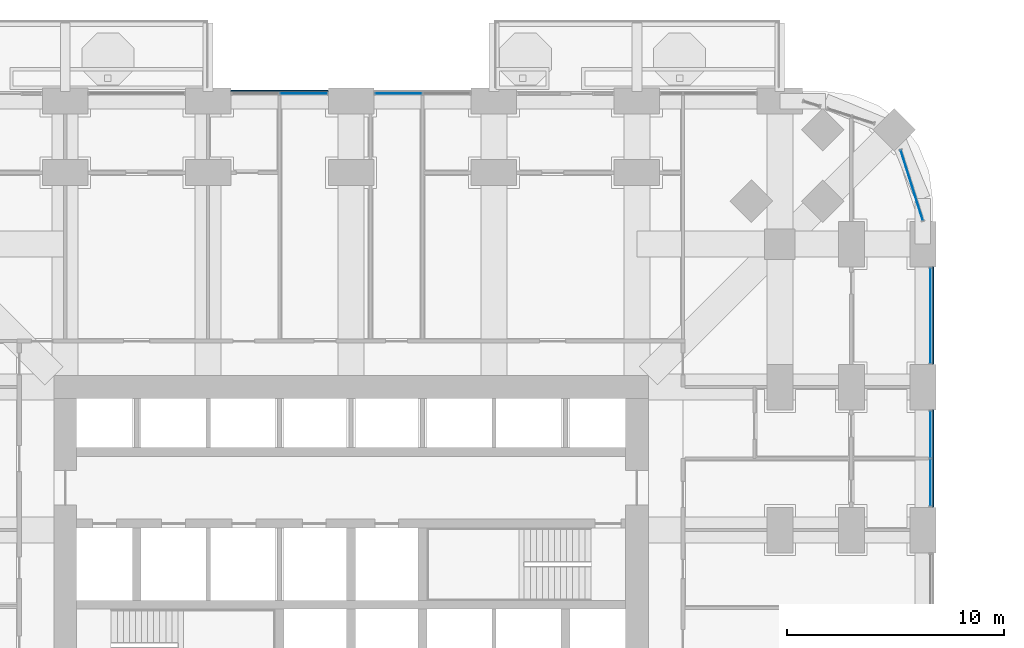
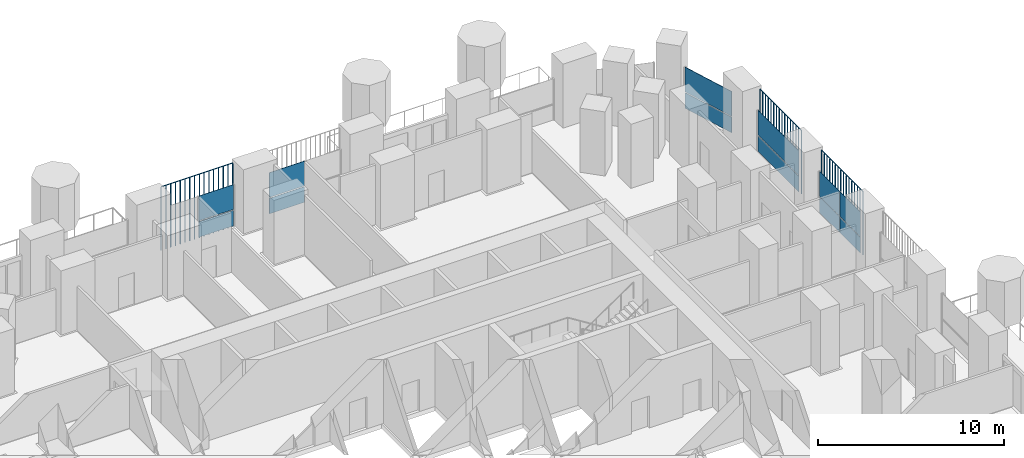
# One storey, part 16 of 27: 15 plates, 5 elements without a shape of their own.
"""IFC4 building model written with IfcOpenShell, lengths in metres."""

from ifc_helpers import new_model, si_unit, direction, frame, origin, origin_2d, place, context, subcontext, project, spatial, polyline, rectangle, outline, extrude, material, layer, layer_set, type_object, element, aggregate, save


model = new_model("IFC4")

# Units and contexts
model_context = context("Model", 3, precision=1e-05, world=origin(), true_north=direction((0.0, 1.0)))
body_context = subcontext(model_context, "Body", "Model", "MODEL_VIEW")
ifc_project = project(units=[si_unit("LENGTHUNIT", "METRE"), si_unit("AREAUNIT", "SQUARE_METRE"), si_unit("VOLUMEUNIT", "CUBIC_METRE"), si_unit("PLANEANGLEUNIT", "RADIAN"), si_unit("MASSUNIT", "GRAM", prefix="KILO")], contexts=[model_context])

# Site, building, storey
site_placement = place(None, origin())
site = spatial("IfcSite", under=ifc_project, at=site_placement, CompositionType="ELEMENT")
building_placement = place(site_placement, origin())
building = spatial("IfcBuilding", under=site, at=building_placement, Name="Cobogo Forest Laboratory Tower", CompositionType="ELEMENT")
storey_placement = place(building_placement, frame((0.0, 0.0, 29.699951171875)))
storey = spatial("IfcBuildingStorey", under=building, at=storey_placement, Name="L06", CompositionType="ELEMENT", Elevation=29.699951171875)

# Curtain wall, plates
ifc_material_1 = material(Name="Aluminium curtain wall", Category="aluminium")
curtain_wall_type = type_object("IfcCurtainWallType", Name="CW-1 unitised curtain wall, clear glazing, laboratory floors zones A and B", PredefinedType="USERDEFINED", material=ifc_material_1)
curtain_wall_1_placement = place(storey_placement, origin())
curtain_wall_1 = element("IfcCurtainWall", 1, at=curtain_wall_1_placement, inside=storey, type_object=curtain_wall_type, Name="Curtain wall 13 L06", ObjectType="UNITISED CURTAIN WALL", PredefinedType="USERDEFINED")
ifc_material_2 = material(Name="Clear insulated glass", Category="glass")
ifc_layer = layer(ifc_material_2, 0.028076171875)
ifc_layer_set = layer_set([ifc_layer], Name="GP-1 clear insulated glass unit 28")
plate_type_1 = type_object("IfcPlateType", Name="GP-1 clear insulated glass unit 28", PredefinedType="CURTAIN_PANEL", material=ifc_layer_set)
plate_1_placement = place(storey_placement, frame((53.14990234375, 28.590087890625, 0.0), z_axis=(0.0, 0.0, 1.0), x_axis=(0.0, 1.0, 0.0)))
plate_1 = element("IfcPlate", 2, at=plate_1_placement, type_object=plate_type_1, Name="CW-1 panel 1.1", PredefinedType="CURTAIN_PANEL", context=body_context, shape_type="SweptSolid", body=[
    extrude(rectangle(XDim=2.159912109375, YDim=0.028076171875, at=origin_2d()), origin(), (0.0, 0.0, 1.0), 1.02001953125),
])
plate_2_placement = place(storey_placement, frame((53.14990234375, 28.590087890625, 1.080078125), z_axis=(0.0, 0.0, 1.0), x_axis=(0.0, 1.0, 0.0)))
plate_2 = element("IfcPlate", 3, at=plate_2_placement, type_object=plate_type_1, Name="CW-1 panel 1.2", PredefinedType="CURTAIN_PANEL", context=body_context, shape_type="SweptSolid", body=[
    extrude(rectangle(XDim=2.159912109375, YDim=0.028076171875, at=origin_2d()), origin(), (0.0, 0.0, 1.0), 1.6201171875),
])
plate_3_placement = place(storey_placement, frame((53.14990234375, 30.81005859375, 0.0), z_axis=(0.0, 0.0, 1.0), x_axis=(0.0, 1.0, 0.0)))
plate_3 = element("IfcPlate", 4, at=plate_3_placement, type_object=plate_type_1, Name="CW-1 panel 2.1", PredefinedType="CURTAIN_PANEL", context=body_context, shape_type="SweptSolid", body=[
    extrude(rectangle(XDim=2.159912109375, YDim=0.028076171875, at=origin_2d()), origin(), (0.0, 0.0, 1.0), 1.02001953125),
])
plate_4_placement = place(storey_placement, frame((53.14990234375, 30.81005859375, 1.080078125), z_axis=(0.0, 0.0, 1.0), x_axis=(0.0, 1.0, 0.0)))
plate_4 = element("IfcPlate", 5, at=plate_4_placement, type_object=plate_type_1, Name="CW-1 panel 2.2", PredefinedType="CURTAIN_PANEL", context=body_context, shape_type="SweptSolid", body=[
    extrude(rectangle(XDim=2.159912109375, YDim=0.028076171875, at=origin_2d()), origin(), (0.0, 0.0, 1.0), 1.6201171875),
])
aggregate(curtain_wall_1, [plate_1, plate_2, plate_3, plate_4])

curtain_wall_2_placement = place(storey_placement, origin())
curtain_wall_2 = element("IfcCurtainWall", 6, at=curtain_wall_2_placement, inside=storey, type_object=curtain_wall_type, Name="Curtain wall 14 L06", ObjectType="UNITISED CURTAIN WALL", PredefinedType="USERDEFINED")
plate_5_placement = place(storey_placement, frame((53.14990234375, 36.300048828125, 0.0), z_axis=(0.0, 0.0, 1.0), x_axis=(0.0, 1.0, 0.0)))
plate_5 = element("IfcPlate", 7, at=plate_5_placement, type_object=plate_type_1, Name="CW-1 panel 1.1", PredefinedType="CURTAIN_PANEL", context=body_context, shape_type="SweptSolid", body=[
    extrude(rectangle(XDim=4.3798828125, YDim=0.028076171875, at=origin_2d()), origin(), (0.0, 0.0, 1.0), 1.02001953125),
])
plate_6_placement = place(storey_placement, frame((53.14990234375, 36.300048828125, 1.080078125), z_axis=(0.0, 0.0, 1.0), x_axis=(0.0, 1.0, 0.0)))
plate_6 = element("IfcPlate", 8, at=plate_6_placement, type_object=plate_type_1, Name="CW-1 panel 1.2", PredefinedType="CURTAIN_PANEL", context=body_context, shape_type="SweptSolid", body=[
    extrude(rectangle(XDim=4.3798828125, YDim=0.028076171875, at=origin_2d()), origin(), (0.0, 0.0, 1.0), 1.6201171875),
])
aggregate(curtain_wall_2, [plate_5, plate_6])

curtain_wall_3_placement = place(storey_placement, origin())
curtain_wall_3 = element("IfcCurtainWall", 9, at=curtain_wall_3_placement, inside=storey, type_object=curtain_wall_type, Name="Curtain wall 15 L06", ObjectType="UNITISED CURTAIN WALL", PredefinedType="USERDEFINED")
plate_7_placement = place(storey_placement, frame((52.291015625, 42.320068359375, 0.0), z_axis=(0.0, 0.0, 1.0), x_axis=(-0.30113535792, 0.95358140513, 0.0)))
plate_7 = element("IfcPlate", 10, at=plate_7_placement, type_object=plate_type_1, Name="CW-1 panel 1.1", PredefinedType="CURTAIN_PANEL", context=body_context, shape_type="SweptSolid", body=[
    extrude(rectangle(XDim=3.382568359375, YDim=0.028076171875, at=origin_2d()), origin(), (0.0, 0.0, 1.0), 1.02001953125),
])
plate_8_placement = place(storey_placement, frame((52.291015625, 42.320068359375, 1.080078125), z_axis=(0.0, 0.0, 1.0), x_axis=(-0.30113535792, 0.95358140513, 0.0)))
plate_8 = element("IfcPlate", 11, at=plate_8_placement, type_object=plate_type_1, Name="CW-1 panel 1.2", PredefinedType="CURTAIN_PANEL", context=body_context, shape_type="SweptSolid", body=[
    extrude(rectangle(XDim=3.382568359375, YDim=0.028076171875, at=origin_2d()), origin(), (0.0, 0.0, 1.0), 1.6201171875),
])
aggregate(curtain_wall_3, [plate_7, plate_8])

curtain_wall_4_placement = place(storey_placement, origin())
curtain_wall_4 = element("IfcCurtainWall", 12, at=curtain_wall_4_placement, inside=storey, type_object=curtain_wall_type, Name="Curtain wall 20 L06", ObjectType="UNITISED CURTAIN WALL", PredefinedType="USERDEFINED")
plate_9_placement = place(storey_placement, frame((28.590087890625, 46.550048828125, 0.0), z_axis=(0.0, 0.0, 1.0), x_axis=(-1.0, 0.0, 0.0)))
plate_9 = element("IfcPlate", 13, at=plate_9_placement, type_object=plate_type_1, Name="CW-1 panel 2.1", PredefinedType="CURTAIN_PANEL", context=body_context, shape_type="SweptSolid", body=[
    extrude(rectangle(XDim=2.159912109375, YDim=0.028076171875, at=origin_2d()), origin(), (0.0, 0.0, 1.0), 1.02001953125),
])
plate_10_placement = place(storey_placement, frame((28.590087890625, 46.550048828125, 1.080078125), z_axis=(0.0, 0.0, 1.0), x_axis=(-1.0, 0.0, 0.0)))
plate_10 = element("IfcPlate", 14, at=plate_10_placement, type_object=plate_type_1, Name="CW-1 panel 2.2", PredefinedType="CURTAIN_PANEL", context=body_context, shape_type="SweptSolid", body=[
    extrude(rectangle(XDim=2.159912109375, YDim=0.028076171875, at=origin_2d()), origin(), (0.0, 0.0, 1.0), 1.6201171875),
])
aggregate(curtain_wall_4, [plate_9, plate_10])

curtain_wall_5_placement = place(storey_placement, origin())
curtain_wall_5 = element("IfcCurtainWall", 15, at=curtain_wall_5_placement, inside=storey, type_object=curtain_wall_type, Name="Curtain wall 21 L06", ObjectType="UNITISED CURTAIN WALL", PredefinedType="USERDEFINED")
plate_11_placement = place(storey_placement, frame((24.2099609375, 46.550048828125, 0.0), z_axis=(0.0, 0.0, 1.0), x_axis=(-1.0, 0.0, 0.0)))
plate_11 = element("IfcPlate", 16, at=plate_11_placement, type_object=plate_type_1, Name="CW-1 panel 1.1", PredefinedType="CURTAIN_PANEL", context=body_context, shape_type="SweptSolid", body=[
    extrude(rectangle(XDim=2.159912109375, YDim=0.028076171875, at=origin_2d()), origin(), (0.0, 0.0, 1.0), 1.02001953125),
])
plate_12_placement = place(storey_placement, frame((24.2099609375, 46.550048828125, 1.080078125), z_axis=(0.0, 0.0, 1.0), x_axis=(-1.0, 0.0, 0.0)))
plate_12 = element("IfcPlate", 17, at=plate_12_placement, type_object=plate_type_1, Name="CW-1 panel 1.2", PredefinedType="CURTAIN_PANEL", context=body_context, shape_type="SweptSolid", body=[
    extrude(rectangle(XDim=2.159912109375, YDim=0.028076171875, at=origin_2d()), origin(), (0.0, 0.0, 1.0), 1.6201171875),
])
aggregate(curtain_wall_5, [plate_11, plate_12])

# Plates
ifc_material_3 = material(Name="Terracotta", Category="masonry")
plate_type_2 = type_object("IfcPlateType", Name="TB1 terracotta baguette screen", PredefinedType="USERDEFINED", material=ifc_material_3)
plate_13_placement = place(storey_placement, frame((53.27783203125, 27.481201171875, -0.14990234375)))
element("IfcPlate", 18, at=plate_13_placement, inside=storey, type_object=plate_type_2, Name="Baguette screen E4 L06", ObjectType="BAGUETTE SCREEN", PredefinedType="USERDEFINED", context=body_context, shape_type="SweptSolid", body=[
    extrude(outline(polyline([(0.02880859375, 0.011962890625), (0.011962890625, 0.02880859375), (-0.011962890625, 0.02880859375), (-0.02880859375, 0.011962890625), (-0.02880859375, -0.011962890625), (-0.011962890625, -0.02880859375), (0.011962890625, -0.02880859375), (0.02880859375, -0.011962890625), (0.02880859375, 0.011962890625)])), frame((0.0, 0.0, 4.168701171875), z_axis=(0.0, 1.0, 0.0), x_axis=(-1.0, 0.0, 0.0)), (0.0, 0.0, 1.0), 4.4375),
    extrude(outline(polyline([(0.02880859375, 0.011962890625), (0.011962890625, 0.02880859375), (-0.011962890625, 0.02880859375), (-0.02880859375, 0.011962890625), (-0.02880859375, -0.011962890625), (-0.011962890625, -0.02880859375), (0.011962890625, -0.02880859375), (0.02880859375, -0.011962890625), (0.02880859375, 0.011962890625)])), origin(), (0.0, 0.0, 1.0), 4.137451171875),
    extrude(outline(polyline([(0.02880859375, 0.011962890625), (0.011962890625, 0.02880859375), (-0.011962890625, 0.02880859375), (-0.02880859375, 0.011962890625), (-0.02880859375, -0.011962890625), (-0.011962890625, -0.02880859375), (0.011962890625, -0.02880859375), (0.02880859375, -0.011962890625), (0.02880859375, 0.011962890625)])), frame((0.0, 0.2958984375, 0.0)), (0.0, 0.0, 1.0), 4.137451171875),
    extrude(outline(polyline([(0.02880859375, 0.011962890625), (0.011962890625, 0.02880859375), (-0.011962890625, 0.02880859375), (-0.02880859375, 0.011962890625), (-0.02880859375, -0.011962890625), (-0.011962890625, -0.02880859375), (0.011962890625, -0.02880859375), (0.02880859375, -0.011962890625), (0.02880859375, 0.011962890625)])), frame((0.0, 0.591552734375, 0.0)), (0.0, 0.0, 1.0), 4.137451171875),
    extrude(outline(polyline([(0.02880859375, 0.011962890625), (0.011962890625, 0.02880859375), (-0.011962890625, 0.02880859375), (-0.02880859375, 0.011962890625), (-0.02880859375, -0.011962890625), (-0.011962890625, -0.02880859375), (0.011962890625, -0.02880859375), (0.02880859375, -0.011962890625), (0.02880859375, 0.011962890625)])), frame((0.0, 0.887451171875, 0.0)), (0.0, 0.0, 1.0), 4.137451171875),
    extrude(outline(polyline([(0.02880859375, 0.011962890625), (0.011962890625, 0.02880859375), (-0.011962890625, 0.02880859375), (-0.02880859375, 0.011962890625), (-0.02880859375, -0.011962890625), (-0.011962890625, -0.02880859375), (0.011962890625, -0.02880859375), (0.02880859375, -0.011962890625), (0.02880859375, 0.011962890625)])), frame((0.0, 1.183349609375, 0.0)), (0.0, 0.0, 1.0), 4.137451171875),
    extrude(outline(polyline([(0.02880859375, 0.011962890625), (0.011962890625, 0.02880859375), (-0.011962890625, 0.02880859375), (-0.02880859375, 0.011962890625), (-0.02880859375, -0.011962890625), (-0.011962890625, -0.02880859375), (0.011962890625, -0.02880859375), (0.02880859375, -0.011962890625), (0.02880859375, 0.011962890625)])), frame((0.0, 1.479248046875, 0.0)), (0.0, 0.0, 1.0), 4.137451171875),
    extrude(outline(polyline([(0.02880859375, 0.011962890625), (0.011962890625, 0.02880859375), (-0.011962890625, 0.02880859375), (-0.02880859375, 0.011962890625), (-0.02880859375, -0.011962890625), (-0.011962890625, -0.02880859375), (0.011962890625, -0.02880859375), (0.02880859375, -0.011962890625), (0.02880859375, 0.011962890625)])), frame((0.0, 1.77490234375, 0.0)), (0.0, 0.0, 1.0), 4.137451171875),
    extrude(outline(polyline([(0.02880859375, 0.011962890625), (0.011962890625, 0.02880859375), (-0.011962890625, 0.02880859375), (-0.02880859375, 0.011962890625), (-0.02880859375, -0.011962890625), (-0.011962890625, -0.02880859375), (0.011962890625, -0.02880859375), (0.02880859375, -0.011962890625), (0.02880859375, 0.011962890625)])), frame((0.0, 2.07080078125, 0.0)), (0.0, 0.0, 1.0), 4.137451171875),
    extrude(outline(polyline([(0.02880859375, 0.011962890625), (0.011962890625, 0.02880859375), (-0.011962890625, 0.02880859375), (-0.02880859375, 0.011962890625), (-0.02880859375, -0.011962890625), (-0.011962890625, -0.02880859375), (0.011962890625, -0.02880859375), (0.02880859375, -0.011962890625), (0.02880859375, 0.011962890625)])), frame((0.0, 2.36669921875, 0.0)), (0.0, 0.0, 1.0), 4.137451171875),
    extrude(outline(polyline([(0.02880859375, 0.011962890625), (0.011962890625, 0.02880859375), (-0.011962890625, 0.02880859375), (-0.02880859375, 0.011962890625), (-0.02880859375, -0.011962890625), (-0.011962890625, -0.02880859375), (0.011962890625, -0.02880859375), (0.02880859375, -0.011962890625), (0.02880859375, 0.011962890625)])), frame((0.0, 2.66259765625, 0.0)), (0.0, 0.0, 1.0), 4.137451171875),
    extrude(outline(polyline([(0.02880859375, 0.011962890625), (0.011962890625, 0.02880859375), (-0.011962890625, 0.02880859375), (-0.02880859375, 0.011962890625), (-0.02880859375, -0.011962890625), (-0.011962890625, -0.02880859375), (0.011962890625, -0.02880859375), (0.02880859375, -0.011962890625), (0.02880859375, 0.011962890625)])), frame((0.0, 2.958251953125, 0.0)), (0.0, 0.0, 1.0), 4.137451171875),
    extrude(outline(polyline([(0.02880859375, 0.011962890625), (0.011962890625, 0.02880859375), (-0.011962890625, 0.02880859375), (-0.02880859375, 0.011962890625), (-0.02880859375, -0.011962890625), (-0.011962890625, -0.02880859375), (0.011962890625, -0.02880859375), (0.02880859375, -0.011962890625), (0.02880859375, 0.011962890625)])), frame((0.0, 3.254150390625, 0.0)), (0.0, 0.0, 1.0), 4.137451171875),
    extrude(outline(polyline([(0.02880859375, 0.011962890625), (0.011962890625, 0.02880859375), (-0.011962890625, 0.02880859375), (-0.02880859375, 0.011962890625), (-0.02880859375, -0.011962890625), (-0.011962890625, -0.02880859375), (0.011962890625, -0.02880859375), (0.02880859375, -0.011962890625), (0.02880859375, 0.011962890625)])), frame((0.0, 3.550048828125, 0.0)), (0.0, 0.0, 1.0), 4.137451171875),
    extrude(outline(polyline([(0.02880859375, 0.011962890625), (0.011962890625, 0.02880859375), (-0.011962890625, 0.02880859375), (-0.02880859375, 0.011962890625), (-0.02880859375, -0.011962890625), (-0.011962890625, -0.02880859375), (0.011962890625, -0.02880859375), (0.02880859375, -0.011962890625), (0.02880859375, 0.011962890625)])), frame((0.0, 3.845947265625, 0.0)), (0.0, 0.0, 1.0), 4.137451171875),
    extrude(outline(polyline([(0.02880859375, 0.011962890625), (0.011962890625, 0.02880859375), (-0.011962890625, 0.02880859375), (-0.02880859375, 0.011962890625), (-0.02880859375, -0.011962890625), (-0.011962890625, -0.02880859375), (0.011962890625, -0.02880859375), (0.02880859375, -0.011962890625), (0.02880859375, 0.011962890625)])), frame((0.0, 4.1416015625, 0.0)), (0.0, 0.0, 1.0), 4.137451171875),
    extrude(outline(polyline([(0.02880859375, 0.011962890625), (0.011962890625, 0.02880859375), (-0.011962890625, 0.02880859375), (-0.02880859375, 0.011962890625), (-0.02880859375, -0.011962890625), (-0.011962890625, -0.02880859375), (0.011962890625, -0.02880859375), (0.02880859375, -0.011962890625), (0.02880859375, 0.011962890625)])), frame((0.0, 4.4375, 0.0)), (0.0, 0.0, 1.0), 4.137451171875),
])
plate_14_placement = place(storey_placement, frame((53.27783203125, 34.081298828125, -0.14990234375)))
element("IfcPlate", 19, at=plate_14_placement, inside=storey, type_object=plate_type_2, Name="Baguette screen E5 L06", ObjectType="BAGUETTE SCREEN", PredefinedType="USERDEFINED", context=body_context, shape_type="SweptSolid", body=[
    extrude(outline(polyline([(0.02880859375, 0.011962890625), (0.011962890625, 0.02880859375), (-0.011962890625, 0.02880859375), (-0.02880859375, 0.011962890625), (-0.02880859375, -0.011962890625), (-0.011962890625, -0.02880859375), (0.011962890625, -0.02880859375), (0.02880859375, -0.011962890625), (0.02880859375, 0.011962890625)])), frame((0.0, 0.0, 4.168701171875), z_axis=(0.0, 1.0, 0.0), x_axis=(-1.0, 0.0, 0.0)), (0.0, 0.0, 1.0), 4.4375),
    extrude(outline(polyline([(0.02880859375, 0.011962890625), (0.011962890625, 0.02880859375), (-0.011962890625, 0.02880859375), (-0.02880859375, 0.011962890625), (-0.02880859375, -0.011962890625), (-0.011962890625, -0.02880859375), (0.011962890625, -0.02880859375), (0.02880859375, -0.011962890625), (0.02880859375, 0.011962890625)])), origin(), (0.0, 0.0, 1.0), 4.137451171875),
    extrude(outline(polyline([(0.02880859375, 0.011962890625), (0.011962890625, 0.02880859375), (-0.011962890625, 0.02880859375), (-0.02880859375, 0.011962890625), (-0.02880859375, -0.011962890625), (-0.011962890625, -0.02880859375), (0.011962890625, -0.02880859375), (0.02880859375, -0.011962890625), (0.02880859375, 0.011962890625)])), frame((0.0, 0.2958984375, 0.0)), (0.0, 0.0, 1.0), 4.137451171875),
    extrude(outline(polyline([(0.02880859375, 0.011962890625), (0.011962890625, 0.02880859375), (-0.011962890625, 0.02880859375), (-0.02880859375, 0.011962890625), (-0.02880859375, -0.011962890625), (-0.011962890625, -0.02880859375), (0.011962890625, -0.02880859375), (0.02880859375, -0.011962890625), (0.02880859375, 0.011962890625)])), frame((0.0, 0.591552734375, 0.0)), (0.0, 0.0, 1.0), 4.137451171875),
    extrude(outline(polyline([(0.02880859375, 0.011962890625), (0.011962890625, 0.02880859375), (-0.011962890625, 0.02880859375), (-0.02880859375, 0.011962890625), (-0.02880859375, -0.011962890625), (-0.011962890625, -0.02880859375), (0.011962890625, -0.02880859375), (0.02880859375, -0.011962890625), (0.02880859375, 0.011962890625)])), frame((0.0, 0.887451171875, 0.0)), (0.0, 0.0, 1.0), 4.137451171875),
    extrude(outline(polyline([(0.02880859375, 0.011962890625), (0.011962890625, 0.02880859375), (-0.011962890625, 0.02880859375), (-0.02880859375, 0.011962890625), (-0.02880859375, -0.011962890625), (-0.011962890625, -0.02880859375), (0.011962890625, -0.02880859375), (0.02880859375, -0.011962890625), (0.02880859375, 0.011962890625)])), frame((0.0, 1.183349609375, 0.0)), (0.0, 0.0, 1.0), 4.137451171875),
    extrude(outline(polyline([(0.02880859375, 0.011962890625), (0.011962890625, 0.02880859375), (-0.011962890625, 0.02880859375), (-0.02880859375, 0.011962890625), (-0.02880859375, -0.011962890625), (-0.011962890625, -0.02880859375), (0.011962890625, -0.02880859375), (0.02880859375, -0.011962890625), (0.02880859375, 0.011962890625)])), frame((0.0, 1.479248046875, 0.0)), (0.0, 0.0, 1.0), 4.137451171875),
    extrude(outline(polyline([(0.02880859375, 0.011962890625), (0.011962890625, 0.02880859375), (-0.011962890625, 0.02880859375), (-0.02880859375, 0.011962890625), (-0.02880859375, -0.011962890625), (-0.011962890625, -0.02880859375), (0.011962890625, -0.02880859375), (0.02880859375, -0.011962890625), (0.02880859375, 0.011962890625)])), frame((0.0, 1.77490234375, 0.0)), (0.0, 0.0, 1.0), 4.137451171875),
    extrude(outline(polyline([(0.02880859375, 0.011962890625), (0.011962890625, 0.02880859375), (-0.011962890625, 0.02880859375), (-0.02880859375, 0.011962890625), (-0.02880859375, -0.011962890625), (-0.011962890625, -0.02880859375), (0.011962890625, -0.02880859375), (0.02880859375, -0.011962890625), (0.02880859375, 0.011962890625)])), frame((0.0, 2.07080078125, 0.0)), (0.0, 0.0, 1.0), 4.137451171875),
    extrude(outline(polyline([(0.02880859375, 0.011962890625), (0.011962890625, 0.02880859375), (-0.011962890625, 0.02880859375), (-0.02880859375, 0.011962890625), (-0.02880859375, -0.011962890625), (-0.011962890625, -0.02880859375), (0.011962890625, -0.02880859375), (0.02880859375, -0.011962890625), (0.02880859375, 0.011962890625)])), frame((0.0, 2.36669921875, 0.0)), (0.0, 0.0, 1.0), 4.137451171875),
    extrude(outline(polyline([(0.02880859375, 0.011962890625), (0.011962890625, 0.02880859375), (-0.011962890625, 0.02880859375), (-0.02880859375, 0.011962890625), (-0.02880859375, -0.011962890625), (-0.011962890625, -0.02880859375), (0.011962890625, -0.02880859375), (0.02880859375, -0.011962890625), (0.02880859375, 0.011962890625)])), frame((0.0, 2.66259765625, 0.0)), (0.0, 0.0, 1.0), 4.137451171875),
    extrude(outline(polyline([(0.02880859375, 0.011962890625), (0.011962890625, 0.02880859375), (-0.011962890625, 0.02880859375), (-0.02880859375, 0.011962890625), (-0.02880859375, -0.011962890625), (-0.011962890625, -0.02880859375), (0.011962890625, -0.02880859375), (0.02880859375, -0.011962890625), (0.02880859375, 0.011962890625)])), frame((0.0, 2.958251953125, 0.0)), (0.0, 0.0, 1.0), 4.137451171875),
    extrude(outline(polyline([(0.02880859375, 0.011962890625), (0.011962890625, 0.02880859375), (-0.011962890625, 0.02880859375), (-0.02880859375, 0.011962890625), (-0.02880859375, -0.011962890625), (-0.011962890625, -0.02880859375), (0.011962890625, -0.02880859375), (0.02880859375, -0.011962890625), (0.02880859375, 0.011962890625)])), frame((0.0, 3.254150390625, 0.0)), (0.0, 0.0, 1.0), 4.137451171875),
    extrude(outline(polyline([(0.02880859375, 0.011962890625), (0.011962890625, 0.02880859375), (-0.011962890625, 0.02880859375), (-0.02880859375, 0.011962890625), (-0.02880859375, -0.011962890625), (-0.011962890625, -0.02880859375), (0.011962890625, -0.02880859375), (0.02880859375, -0.011962890625), (0.02880859375, 0.011962890625)])), frame((0.0, 3.550048828125, 0.0)), (0.0, 0.0, 1.0), 4.137451171875),
    extrude(outline(polyline([(0.02880859375, 0.011962890625), (0.011962890625, 0.02880859375), (-0.011962890625, 0.02880859375), (-0.02880859375, 0.011962890625), (-0.02880859375, -0.011962890625), (-0.011962890625, -0.02880859375), (0.011962890625, -0.02880859375), (0.02880859375, -0.011962890625), (0.02880859375, 0.011962890625)])), frame((0.0, 3.845947265625, 0.0)), (0.0, 0.0, 1.0), 4.137451171875),
    extrude(outline(polyline([(0.02880859375, 0.011962890625), (0.011962890625, 0.02880859375), (-0.011962890625, 0.02880859375), (-0.02880859375, 0.011962890625), (-0.02880859375, -0.011962890625), (-0.011962890625, -0.02880859375), (0.011962890625, -0.02880859375), (0.02880859375, -0.011962890625), (0.02880859375, 0.011962890625)])), frame((0.0, 4.1416015625, 0.0)), (0.0, 0.0, 1.0), 4.137451171875),
    extrude(outline(polyline([(0.02880859375, 0.011962890625), (0.011962890625, 0.02880859375), (-0.011962890625, 0.02880859375), (-0.02880859375, 0.011962890625), (-0.02880859375, -0.011962890625), (-0.011962890625, -0.02880859375), (0.011962890625, -0.02880859375), (0.02880859375, -0.011962890625), (0.02880859375, 0.011962890625)])), frame((0.0, 4.4375, 0.0)), (0.0, 0.0, 1.0), 4.137451171875),
])
plate_15_placement = place(storey_placement, frame((20.88134765625, 46.677978515625, -0.14990234375)))
element("IfcPlate", 20, at=plate_15_placement, inside=storey, type_object=plate_type_2, Name="Baguette screen N3 L06", ObjectType="BAGUETTE SCREEN", PredefinedType="USERDEFINED", context=body_context, shape_type="SweptSolid", body=[
    extrude(outline(polyline([(0.02880859375, 0.011962890625), (0.011962890625, 0.02880859375), (-0.011962890625, 0.02880859375), (-0.02880859375, 0.011962890625), (-0.02880859375, -0.011962890625), (-0.011962890625, -0.02880859375), (0.011962890625, -0.02880859375), (0.02880859375, -0.011962890625), (0.02880859375, 0.011962890625)])), frame((0.0, 0.0, 4.168701171875), z_axis=(1.0, 0.0, 0.0), x_axis=(0.0, 1.0, 0.0)), (0.0, 0.0, 1.0), 4.4375),
    extrude(outline(polyline([(0.02880859375, 0.011962890625), (0.011962890625, 0.02880859375), (-0.011962890625, 0.02880859375), (-0.02880859375, 0.011962890625), (-0.02880859375, -0.011962890625), (-0.011962890625, -0.02880859375), (0.011962890625, -0.02880859375), (0.02880859375, -0.011962890625), (0.02880859375, 0.011962890625)])), origin(), (0.0, 0.0, 1.0), 4.137451171875),
    extrude(outline(polyline([(0.02880859375, 0.011962890625), (0.011962890625, 0.02880859375), (-0.011962890625, 0.02880859375), (-0.02880859375, 0.011962890625), (-0.02880859375, -0.011962890625), (-0.011962890625, -0.02880859375), (0.011962890625, -0.02880859375), (0.02880859375, -0.011962890625), (0.02880859375, 0.011962890625)])), frame((0.2958984375, 0.0, 0.0)), (0.0, 0.0, 1.0), 4.137451171875),
    extrude(outline(polyline([(0.02880859375, 0.011962890625), (0.011962890625, 0.02880859375), (-0.011962890625, 0.02880859375), (-0.02880859375, 0.011962890625), (-0.02880859375, -0.011962890625), (-0.011962890625, -0.02880859375), (0.011962890625, -0.02880859375), (0.02880859375, -0.011962890625), (0.02880859375, 0.011962890625)])), frame((0.591552734375, 0.0, 0.0)), (0.0, 0.0, 1.0), 4.137451171875),
    extrude(outline(polyline([(0.02880859375, 0.011962890625), (0.011962890625, 0.02880859375), (-0.011962890625, 0.02880859375), (-0.02880859375, 0.011962890625), (-0.02880859375, -0.011962890625), (-0.011962890625, -0.02880859375), (0.011962890625, -0.02880859375), (0.02880859375, -0.011962890625), (0.02880859375, 0.011962890625)])), frame((0.887451171875, 0.0, 0.0)), (0.0, 0.0, 1.0), 4.137451171875),
    extrude(outline(polyline([(0.02880859375, 0.011962890625), (0.011962890625, 0.02880859375), (-0.011962890625, 0.02880859375), (-0.02880859375, 0.011962890625), (-0.02880859375, -0.011962890625), (-0.011962890625, -0.02880859375), (0.011962890625, -0.02880859375), (0.02880859375, -0.011962890625), (0.02880859375, 0.011962890625)])), frame((1.183349609375, 0.0, 0.0)), (0.0, 0.0, 1.0), 4.137451171875),
    extrude(outline(polyline([(0.02880859375, 0.011962890625), (0.011962890625, 0.02880859375), (-0.011962890625, 0.02880859375), (-0.02880859375, 0.011962890625), (-0.02880859375, -0.011962890625), (-0.011962890625, -0.02880859375), (0.011962890625, -0.02880859375), (0.02880859375, -0.011962890625), (0.02880859375, 0.011962890625)])), frame((1.479248046875, 0.0, 0.0)), (0.0, 0.0, 1.0), 4.137451171875),
    extrude(outline(polyline([(0.02880859375, 0.011962890625), (0.011962890625, 0.02880859375), (-0.011962890625, 0.02880859375), (-0.02880859375, 0.011962890625), (-0.02880859375, -0.011962890625), (-0.011962890625, -0.02880859375), (0.011962890625, -0.02880859375), (0.02880859375, -0.011962890625), (0.02880859375, 0.011962890625)])), frame((1.77490234375, 0.0, 0.0)), (0.0, 0.0, 1.0), 4.137451171875),
    extrude(outline(polyline([(0.02880859375, 0.011962890625), (0.011962890625, 0.02880859375), (-0.011962890625, 0.02880859375), (-0.02880859375, 0.011962890625), (-0.02880859375, -0.011962890625), (-0.011962890625, -0.02880859375), (0.011962890625, -0.02880859375), (0.02880859375, -0.011962890625), (0.02880859375, 0.011962890625)])), frame((2.07080078125, 0.0, 0.0)), (0.0, 0.0, 1.0), 4.137451171875),
    extrude(outline(polyline([(0.02880859375, 0.011962890625), (0.011962890625, 0.02880859375), (-0.011962890625, 0.02880859375), (-0.02880859375, 0.011962890625), (-0.02880859375, -0.011962890625), (-0.011962890625, -0.02880859375), (0.011962890625, -0.02880859375), (0.02880859375, -0.011962890625), (0.02880859375, 0.011962890625)])), frame((2.36669921875, 0.0, 0.0)), (0.0, 0.0, 1.0), 4.137451171875),
    extrude(outline(polyline([(0.02880859375, 0.011962890625), (0.011962890625, 0.02880859375), (-0.011962890625, 0.02880859375), (-0.02880859375, 0.011962890625), (-0.02880859375, -0.011962890625), (-0.011962890625, -0.02880859375), (0.011962890625, -0.02880859375), (0.02880859375, -0.011962890625), (0.02880859375, 0.011962890625)])), frame((2.66259765625, 0.0, 0.0)), (0.0, 0.0, 1.0), 4.137451171875),
    extrude(outline(polyline([(0.02880859375, 0.011962890625), (0.011962890625, 0.02880859375), (-0.011962890625, 0.02880859375), (-0.02880859375, 0.011962890625), (-0.02880859375, -0.011962890625), (-0.011962890625, -0.02880859375), (0.011962890625, -0.02880859375), (0.02880859375, -0.011962890625), (0.02880859375, 0.011962890625)])), frame((2.958251953125, 0.0, 0.0)), (0.0, 0.0, 1.0), 4.137451171875),
    extrude(outline(polyline([(0.02880859375, 0.011962890625), (0.011962890625, 0.02880859375), (-0.011962890625, 0.02880859375), (-0.02880859375, 0.011962890625), (-0.02880859375, -0.011962890625), (-0.011962890625, -0.02880859375), (0.011962890625, -0.02880859375), (0.02880859375, -0.011962890625), (0.02880859375, 0.011962890625)])), frame((3.254150390625, 0.0, 0.0)), (0.0, 0.0, 1.0), 4.137451171875),
    extrude(outline(polyline([(0.02880859375, 0.011962890625), (0.011962890625, 0.02880859375), (-0.011962890625, 0.02880859375), (-0.02880859375, 0.011962890625), (-0.02880859375, -0.011962890625), (-0.011962890625, -0.02880859375), (0.011962890625, -0.02880859375), (0.02880859375, -0.011962890625), (0.02880859375, 0.011962890625)])), frame((3.550048828125, 0.0, 0.0)), (0.0, 0.0, 1.0), 4.137451171875),
    extrude(outline(polyline([(0.02880859375, 0.011962890625), (0.011962890625, 0.02880859375), (-0.011962890625, 0.02880859375), (-0.02880859375, 0.011962890625), (-0.02880859375, -0.011962890625), (-0.011962890625, -0.02880859375), (0.011962890625, -0.02880859375), (0.02880859375, -0.011962890625), (0.02880859375, 0.011962890625)])), frame((3.845947265625, 0.0, 0.0)), (0.0, 0.0, 1.0), 4.137451171875),
    extrude(outline(polyline([(0.02880859375, 0.011962890625), (0.011962890625, 0.02880859375), (-0.011962890625, 0.02880859375), (-0.02880859375, 0.011962890625), (-0.02880859375, -0.011962890625), (-0.011962890625, -0.02880859375), (0.011962890625, -0.02880859375), (0.02880859375, -0.011962890625), (0.02880859375, 0.011962890625)])), frame((4.1416015625, 0.0, 0.0)), (0.0, 0.0, 1.0), 4.137451171875),
    extrude(outline(polyline([(0.02880859375, 0.011962890625), (0.011962890625, 0.02880859375), (-0.011962890625, 0.02880859375), (-0.02880859375, 0.011962890625), (-0.02880859375, -0.011962890625), (-0.011962890625, -0.02880859375), (0.011962890625, -0.02880859375), (0.02880859375, -0.011962890625), (0.02880859375, 0.011962890625)])), frame((4.4375, 0.0, 0.0)), (0.0, 0.0, 1.0), 4.137451171875),
])

save(model, "model.ifc")
